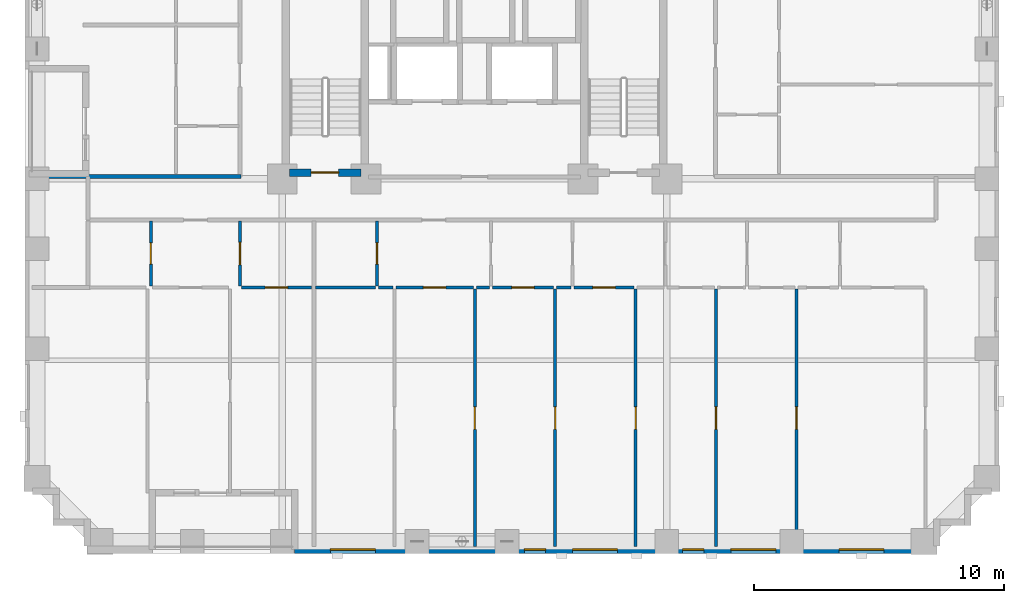
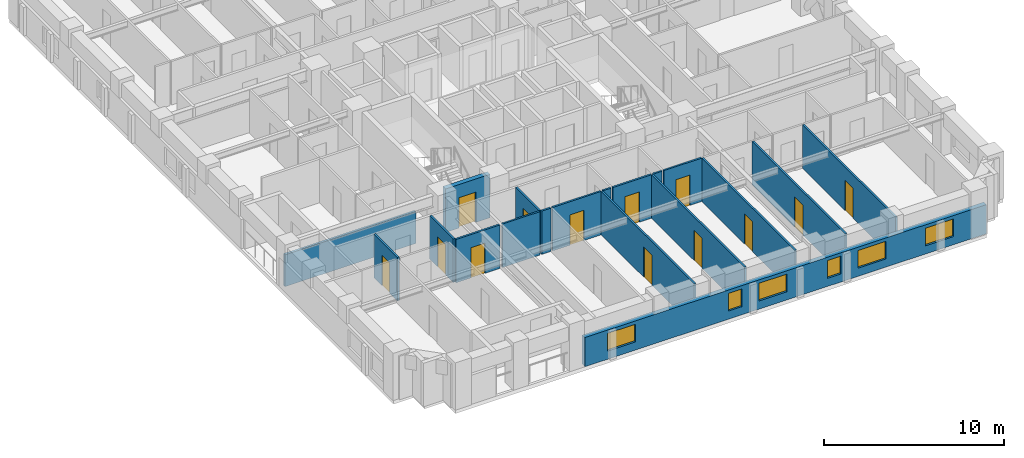
# One storey, part 3 of 14: 19 walls, 13 doors, 6 windows, 19 openings.
"""IFC4 building model written with IfcOpenShell, lengths in metres."""

import ifcopenshell
import ifcopenshell.guid

model = None  # the IFC model being written
_history = None  # IfcOwnerHistory: only IFC2X3 demands one
_inside = {}  # id of a spatial element -> (the spatial element, [elements in it])
_under = {}  # id of a project, library or spatial element -> (it, [spatial elements below it])
_declared = {}  # id of a project -> (the project, [libraries it declares])
_typed = {}  # id of a type object -> (the type object, [elements of that type])
_made_of = {}  # id of a material, layer set ... -> (it, [elements and type objects made of it])


def new_model(schema):
    """Start an empty IFC model of exactly this schema.

    Asked for "IFC4X3", IfcOpenShell would pick the latest addendum, in which some entities
    have other attributes; the version numbers below select the first issue.
    IFC2X3 requires an IfcOwnerHistory on every rooted entity: one is made here for all.
    """
    global model, _history
    if schema == "IFC4X3":
        model = ifcopenshell.file(schema_version=(4, 3, 0, 0))
    else:
        model = ifcopenshell.file(schema=schema)
    _inside.clear()
    _under.clear()
    _declared.clear()
    _typed.clear()
    _made_of.clear()
    _history = None
    if model.schema == "IFC2X3":
        org = make("IfcOrganization", Name="unknown")
        user = make(
            "IfcPersonAndOrganization",
            ThePerson=make("IfcPerson", FamilyName="unknown"),
            TheOrganization=org,
        )
        app = make(
            "IfcApplication",
            ApplicationDeveloper=org,
            Version="unknown",
            ApplicationFullName="unknown",
            ApplicationIdentifier="unknown",
        )
        _history = make(
            "IfcOwnerHistory",
            OwningUser=user,
            OwningApplication=app,
            ChangeAction="ADDED",
            CreationDate=0,
        )
    return model


def make(cls, **values):
    """One entity of the class cls with the attributes given. An attribute that is None is left unset."""
    return model.create_entity(
        cls, **{name: value for name, value in values.items() if value is not None}
    )


def rooted(cls, **values):
    """An entity with a GlobalId (a new one), such as an element, a storey or a relation."""
    return make(cls, GlobalId=ifcopenshell.guid.new(), OwnerHistory=_history, **values)


def si_unit(unit_type, name, prefix=None):
    """IfcSIUnit, for example si_unit("LENGTHUNIT", "METRE", prefix="MILLI")."""
    return make("IfcSIUnit", UnitType=unit_type, Prefix=prefix, Name=name)


def derived_unit(unit_type, elements):
    """IfcDerivedUnit: a product of units, each with its exponent."""
    return make(
        "IfcDerivedUnit",
        Elements=[
            make("IfcDerivedUnitElement", Unit=unit, Exponent=power)
            for unit, power in elements
        ],
        UnitType=unit_type,
    )


def assignment(units):
    """IfcUnitAssignment: the units of a project."""
    return None if units is None else make("IfcUnitAssignment", Units=units)


def point(xyz):
    """IfcCartesianPoint."""
    return None if xyz is None else make("IfcCartesianPoint", Coordinates=xyz)


def direction(xyz):
    """IfcDirection."""
    return None if xyz is None else make("IfcDirection", DirectionRatios=xyz)


def frame(location, z_axis=None, x_axis=None):
    """IfcAxis2Placement3D, a coordinate frame: its origin and axes. An axis left out is left unset."""
    return make(
        "IfcAxis2Placement3D",
        Location=point(location),
        Axis=direction(z_axis),
        RefDirection=direction(x_axis),
    )


def frame_2d(location, x_axis=None):
    """IfcAxis2Placement2D, a coordinate frame in the plane: its origin and x axis."""
    return make(
        "IfcAxis2Placement2D", Location=point(location), RefDirection=direction(x_axis)
    )


def origin():
    """The frame at (0, 0, 0) with its axes left unset."""
    return frame((0.0, 0.0, 0.0))


def place(relative_to, where):
    """IfcLocalPlacement: puts the frame where relative to a parent placement (None: the world)."""
    return make(
        "IfcLocalPlacement", PlacementRelTo=relative_to, RelativePlacement=where
    )


def context(
    kind, dimensions, precision=None, world=None, true_north=None, identifier=None
):
    """IfcGeometricRepresentationContext, for example the 3D "Model" context."""
    return make(
        "IfcGeometricRepresentationContext",
        ContextIdentifier=identifier,
        ContextType=kind,
        CoordinateSpaceDimension=dimensions,
        Precision=precision,
        WorldCoordinateSystem=world,
        TrueNorth=true_north,
    )


def subcontext(parent, identifier, kind, view, scale=None):
    """IfcGeometricRepresentationSubContext, for example "Body" below "Model"."""
    return make(
        "IfcGeometricRepresentationSubContext",
        ContextIdentifier=identifier,
        ContextType=kind,
        ParentContext=parent,
        TargetScale=scale,
        TargetView=view,
    )


def project(units=None, contexts=None):
    """IfcProject with its units and contexts."""
    return rooted(
        "IfcProject",
        Name="project",
        RepresentationContexts=contexts,
        UnitsInContext=assignment(units),
    )


def spatial(cls, under=None, at=None, **own):
    """A site, building, storey or space (cls), placed at a placement, below another one or the project."""
    s = rooted(cls, ObjectPlacement=at, **own)
    if under is not None:
        _under.setdefault(under.id(), (under, []))[1].append(s)
    return s


def profile(cls, at=None, kind="AREA", **sizes):
    """A parametric profile (cls). Its sizes go by their IFC names, for example OverallWidth=200.0."""
    return make(cls, ProfileType=kind, Position=at, **sizes)


def rectangle(**sizes):
    """IfcRectangleProfileDef."""
    return profile("IfcRectangleProfileDef", **sizes)


def extrude(swept, where, along, depth):
    """IfcExtrudedAreaSolid: the profile swept, set in the frame where, extruded along a direction by depth."""
    return make(
        "IfcExtrudedAreaSolid",
        SweptArea=swept,
        Position=where,
        ExtrudedDirection=direction(along),
        Depth=depth,
    )


def shape(context_of_items, identifier, shape_type, items):
    """IfcShapeRepresentation: the items that make up one representation, for example the "Body"."""
    return make(
        "IfcShapeRepresentation",
        ContextOfItems=context_of_items,
        RepresentationIdentifier=identifier,
        RepresentationType=shape_type,
        Items=items,
    )


def material(Name=None, Category=None):
    """IfcMaterial."""
    return make("IfcMaterial", Name=Name, Category=Category)


def layer(
    of_material, thickness, ventilated=None, Name=None, Category=None, Priority=None
):
    """IfcMaterialLayer: one layer of a wall or slab, of a material (None: an air gap)."""
    return make(
        "IfcMaterialLayer",
        Material=of_material,
        LayerThickness=thickness,
        IsVentilated=ventilated,
        Name=Name,
        Category=Category,
        Priority=Priority,
    )


def layer_set(layers, Name=None):
    """IfcMaterialLayerSet."""
    return make("IfcMaterialLayerSet", MaterialLayers=layers, LayerSetName=Name)


def made_of(thing, what):
    """Note that an element or type object is made of a material, layer set ...; save() writes the relation."""
    if what is not None:
        _made_of.setdefault(what.id(), (what, []))[1].append(thing)
    return thing


def type_object(cls, material=None, **own):
    """A type object (cls), such as IfcWallType, which elements share."""
    return made_of(rooted(cls, **own), material)


def element(
    cls,
    number,
    at=None,
    inside=None,
    cuts=None,
    type_object=None,
    material=None,
    context=None,
    identifier="Body",
    shape_type=None,
    held_by="IfcProductDefinitionShape",
    body=None,
    shapes=None,
    **own,
):
    """One element of the class cls, such as IfcWall. Its Tag is "e" and its number.

    at: its placement. inside: the storey or other place that contains it. cuts: it is an
    opening in that element (IfcRelVoidsElement). A single representation is given by context,
    identifier, shape_type and body (its items); several are given by shapes. held_by: the class
    of the entity that holds the representations. save() writes the other relations.
    """
    e = rooted(cls, Tag="e%d" % number, ObjectPlacement=at, **own)
    if body is not None:
        shapes = [shape(context, identifier, shape_type, body)]
    if shapes is not None:
        e.Representation = make(held_by, Representations=shapes)
    if inside is not None:
        _inside.setdefault(inside.id(), (inside, []))[1].append(e)
    if cuts is not None:
        rooted(
            "IfcRelVoidsElement", RelatingBuildingElement=cuts, RelatedOpeningElement=e
        )
    if type_object is not None:
        _typed.setdefault(type_object.id(), (type_object, []))[1].append(e)
    return made_of(e, material)


def fill(opening, filler):
    """IfcRelFillsElement: the door or window that sits in an opening."""
    return rooted(
        "IfcRelFillsElement",
        RelatingOpeningElement=opening,
        RelatedBuildingElement=filler,
    )


def aggregate(whole, parts):
    """IfcRelAggregates: a whole, such as a stair, and the parts it consists of."""
    return rooted("IfcRelAggregates", RelatingObject=whole, RelatedObjects=parts)


def save(model, path):
    """Write the relations noted so far, then the file.

    IfcRelAggregates (storeys below a building ...), IfcRelContainedInSpatialStructure (elements
    in a storey), IfcRelDefinesByType, IfcRelAssociatesMaterial and IfcRelDeclares: one each for
    every whole, place, type object, material and project.
    """
    for whole, parts in _under.values():
        aggregate(whole, parts)
    for where, things in _inside.values():
        rooted(
            "IfcRelContainedInSpatialStructure",
            RelatedElements=things,
            RelatingStructure=where,
        )
    for kind, things in _typed.values():
        rooted("IfcRelDefinesByType", RelatedObjects=things, RelatingType=kind)
    for what, things in _made_of.values():
        rooted("IfcRelAssociatesMaterial", RelatedObjects=things, RelatingMaterial=what)
    for by, libraries in _declared.values():
        rooted("IfcRelDeclares", RelatingContext=by, RelatedDefinitions=libraries)
    model.write(path)


model = new_model("IFC4")

# Units and contexts
model_context = context("Model", 3, precision=1e-05, world=origin(), true_north=direction((0.0, 1.0)))
body_context = subcontext(model_context, "Body", "Model", "MODEL_VIEW")
ifc_project = project(units=[si_unit("LENGTHUNIT", "METRE"), si_unit("AREAUNIT", "SQUARE_METRE"), si_unit("VOLUMEUNIT", "CUBIC_METRE"), si_unit("PLANEANGLEUNIT", "RADIAN"), si_unit("MASSUNIT", "GRAM", prefix="KILO"), derived_unit("THERMALTRANSMITTANCEUNIT", [(si_unit("MASSUNIT", "GRAM", prefix="KILO"), 1), (si_unit("TIMEUNIT", "SECOND"), -3), (si_unit("THERMODYNAMICTEMPERATUREUNIT", "KELVIN"), -1)])], contexts=[model_context])

# Site, building, storey
site_placement = place(None, origin())
site = spatial("IfcSite", under=ifc_project, at=site_placement, CompositionType="ELEMENT")
building_placement = place(site_placement, origin())
building = spatial("IfcBuilding", under=site, at=building_placement, Name="Korrvale Station Residences", CompositionType="ELEMENT")
storey_placement = place(building_placement, frame((0.0, 0.0, 41.800048828125)))
storey = spatial("IfcBuildingStorey", under=building, at=storey_placement, Name="L10", CompositionType="ELEMENT", Elevation=41.800048828125)

# Wall, opening, door
ifc_material_1 = material(Name="Concrete C70/85", Category="concrete")
ifc_layer_1 = layer(ifc_material_1, 0.300048828125, Name="Concrete C70/85")
ifc_layer_set_1 = layer_set([ifc_layer_1], Name="Concrete C70/85")
wall_type_1 = type_object("IfcWallType", Name="WAL-CORE-300-C70", PredefinedType="SHEAR", material=ifc_layer_set_1)
wall_1_placement = place(storey_placement, frame((18.10009765625, 15.25, 0.0), z_axis=(0.0, 0.0, 1.0), x_axis=(1.0, 0.0, 0.0)))
wall_1 = element("IfcWall", 1, at=wall_1_placement, inside=storey, type_object=wall_type_1, Name="L10 ST-1 Core Shear Wall South", PredefinedType="SHEAR", context=body_context, shape_type="SweptSolid", body=[
    extrude(rectangle(XDim=2.849853515625, YDim=0.300048828125, at=frame_2d((1.4248046875, 0.0))), origin(), (0.0, 0.0, 1.0), 2.93994140625),
])
opening_1_placement = place(wall_1_placement, frame((0.860107421875, 0.0, 0.0)))
opening_1 = element("IfcOpeningElement", 2, at=opening_1_placement, cuts=wall_1, Name="Opening SD-1100", PredefinedType="OPENING", context=body_context, shape_type="SweptSolid", body=[
    extrude(rectangle(XDim=1.10009765625, YDim=2.050048828125, at=frame_2d((0.550048828125, 1.02490234375))), frame((0.0, 0.16015625, 0.0), z_axis=(0.0, -1.0, 0.0), x_axis=(1.0, 0.0, 0.0)), (0.0, 0.0, 1.0), 0.320068359375),
])
ifc_material_2 = material(Name="Hollow-metal fire-rated stair door with closer", Category="steel")
door_type_1 = type_object("IfcDoorType", Name="DR-STAIR-1100", OperationType="NOTDEFINED", PredefinedType="DOOR", material=ifc_material_2)
door_1_placement = place(opening_1_placement, origin())
door_1 = element("IfcDoor", 3, at=door_1_placement, inside=storey, type_object=door_type_1, Name="L10 ST-1 Exit Stair Door", OperationType="SINGLE_SWING_LEFT", OverallHeight=2.050048828125, OverallWidth=1.10009765625, PredefinedType="DOOR", context=body_context, shape_type="SweptSolid", body=[
    extrude(rectangle(XDim=1.10009765625, YDim=2.050048828125, at=frame_2d((0.550048828125, 1.02490234375))), frame((0.0, 0.02490234375, 0.0), z_axis=(0.0, -1.0, 0.0), x_axis=(1.0, 0.0, 0.0)), (0.0, 0.0, 1.0), 0.050048828125),
])
fill(opening_1, door_1)

# Wall, openings, windows
ifc_material_3 = material(Name="Precast concrete C45/55", Category="concrete")
ifc_layer_2 = layer(ifc_material_3, 0.300048828125, Name="Precast concrete C45/55")
ifc_layer_set_2 = layer_set([ifc_layer_2], Name="Precast concrete C45/55")
wall_type_2 = type_object("IfcWallType", Name="WAL-EXT-PC300", PredefinedType="SOLIDWALL", material=ifc_layer_set_2)
wall_2_placement = place(storey_placement, frame((44.0, 0.14990234375, 0.0), z_axis=(0.0, 0.0, 1.0), x_axis=(-1.0, 0.0, 0.0)))
wall_2 = element("IfcWall", 4, at=wall_2_placement, inside=storey, type_object=wall_type_2, Name="L10 South Exterior Precast Wall 1", PredefinedType="SOLIDWALL", context=body_context, shape_type="SweptSolid", body=[
    extrude(rectangle(XDim=25.699951171875, YDim=0.300048828125, at=frame_2d((12.85009765625, 0.0))), origin(), (0.0, 0.0, 1.0), 1.974853515625),
])
opening_2_placement = place(wall_2_placement, frame((22.470947265625, 0.0, 0.550048828125)))
opening_2 = element("IfcOpeningElement", 5, at=opening_2_placement, cuts=wall_2, Name="Opening W-09", PredefinedType="OPENING", context=body_context, shape_type="SweptSolid", body=[
    extrude(rectangle(XDim=1.800048828125, YDim=1.199951171875, at=frame_2d((0.89990234375, 0.60009765625))), frame((0.0, 0.16015625, 0.0), z_axis=(0.0, -1.0, 0.0), x_axis=(1.0, 0.0, 0.0)), (0.0, 0.0, 1.0), 0.320068359375),
])
opening_3_placement = place(wall_2_placement, frame((15.64990234375, 0.0, 0.550048828125)))
opening_3 = element("IfcOpeningElement", 6, at=opening_3_placement, cuts=wall_2, Name="Opening W-11", PredefinedType="OPENING", context=body_context, shape_type="SweptSolid", body=[
    extrude(rectangle(XDim=0.85009765625, YDim=1.199951171875, at=frame_2d((0.425048828125, 0.60009765625))), frame((0.0, 0.16015625, 0.0), z_axis=(0.0, -1.0, 0.0), x_axis=(1.0, 0.0, 0.0)), (0.0, 0.0, 1.0), 0.320068359375),
])
opening_4_placement = place(wall_2_placement, frame((12.777099609375, 0.0, 0.550048828125)))
opening_4 = element("IfcOpeningElement", 7, at=opening_4_placement, cuts=wall_2, Name="Opening W-09", PredefinedType="OPENING", context=body_context, shape_type="SweptSolid", body=[
    extrude(rectangle(XDim=1.800048828125, YDim=1.199951171875, at=frame_2d((0.89990234375, 0.60009765625))), frame((0.0, 0.16015625, 0.0), z_axis=(0.0, -1.0, 0.0), x_axis=(1.0, 0.0, 0.0)), (0.0, 0.0, 1.0), 0.320068359375),
])
opening_5_placement = place(wall_2_placement, frame((9.31494140625, 0.0, 0.550048828125)))
opening_5 = element("IfcOpeningElement", 8, at=opening_5_placement, cuts=wall_2, Name="Opening W-11", PredefinedType="OPENING", context=body_context, shape_type="SweptSolid", body=[
    extrude(rectangle(XDim=0.85009765625, YDim=1.199951171875, at=frame_2d((0.425048828125, 0.60009765625))), frame((0.0, 0.16015625, 0.0), z_axis=(0.0, -1.0, 0.0), x_axis=(1.0, 0.0, 0.0)), (0.0, 0.0, 1.0), 0.320068359375),
])
opening_6_placement = place(wall_2_placement, frame((6.43505859375, 0.0, 0.550048828125)))
opening_6 = element("IfcOpeningElement", 9, at=opening_6_placement, cuts=wall_2, Name="Opening W-09", PredefinedType="OPENING", context=body_context, shape_type="SweptSolid", body=[
    extrude(rectangle(XDim=1.800048828125, YDim=1.199951171875, at=frame_2d((0.89990234375, 0.60009765625))), frame((0.0, 0.16015625, 0.0), z_axis=(0.0, -1.0, 0.0), x_axis=(1.0, 0.0, 0.0)), (0.0, 0.0, 1.0), 0.320068359375),
])
opening_7_placement = place(wall_2_placement, frame((2.10595703125, 0.0, 0.550048828125)))
opening_7 = element("IfcOpeningElement", 10, at=opening_7_placement, cuts=wall_2, Name="Opening W-09", PredefinedType="OPENING", context=body_context, shape_type="SweptSolid", body=[
    extrude(rectangle(XDim=1.800048828125, YDim=1.199951171875, at=frame_2d((0.89990234375, 0.60009765625))), frame((0.0, 0.16015625, 0.0), z_axis=(0.0, -1.0, 0.0), x_axis=(1.0, 0.0, 0.0)), (0.0, 0.0, 1.0), 0.320068359375),
])
ifc_material_4 = material(Name="Thermally broken aluminium frame with triple low-e glazing", Category="aluminium")
window_type_1 = type_object("IfcWindowType", Name="WIN-W09", PartitioningType="DOUBLE_PANEL_VERTICAL", PredefinedType="WINDOW", material=ifc_material_4)
window_1_placement = place(opening_2_placement, origin())
window_1 = element("IfcWindow", 11, at=window_1_placement, inside=storey, type_object=window_type_1, Name="L10 Punched Window 05", OverallHeight=1.199951171875, OverallWidth=1.800048828125, PartitioningType="DOUBLE_PANEL_VERTICAL", PredefinedType="WINDOW", context=body_context, shape_type="SweptSolid", body=[
    extrude(rectangle(XDim=1.800048828125, YDim=1.199951171875, at=frame_2d((0.89990234375, 0.60009765625))), frame((0.0, 0.030029296875, 0.0), z_axis=(0.0, -1.0, 0.0), x_axis=(1.0, 0.0, 0.0)), (0.0, 0.0, 1.0), 0.06005859375),
])
fill(opening_2, window_1)
window_2_placement = place(opening_4_placement, origin())
window_2 = element("IfcWindow", 12, at=window_2_placement, inside=storey, type_object=window_type_1, Name="L10 Punched Window 07", OverallHeight=1.199951171875, OverallWidth=1.800048828125, PartitioningType="DOUBLE_PANEL_VERTICAL", PredefinedType="WINDOW", context=body_context, shape_type="SweptSolid", body=[
    extrude(rectangle(XDim=1.800048828125, YDim=1.199951171875, at=frame_2d((0.89990234375, 0.60009765625))), frame((0.0, 0.030029296875, 0.0), z_axis=(0.0, -1.0, 0.0), x_axis=(1.0, 0.0, 0.0)), (0.0, 0.0, 1.0), 0.06005859375),
])
fill(opening_4, window_2)
window_3_placement = place(opening_6_placement, origin())
window_3 = element("IfcWindow", 13, at=window_3_placement, inside=storey, type_object=window_type_1, Name="L10 Punched Window 09", OverallHeight=1.199951171875, OverallWidth=1.800048828125, PartitioningType="DOUBLE_PANEL_VERTICAL", PredefinedType="WINDOW", context=body_context, shape_type="SweptSolid", body=[
    extrude(rectangle(XDim=1.800048828125, YDim=1.199951171875, at=frame_2d((0.89990234375, 0.60009765625))), frame((0.0, 0.030029296875, 0.0), z_axis=(0.0, -1.0, 0.0), x_axis=(1.0, 0.0, 0.0)), (0.0, 0.0, 1.0), 0.06005859375),
])
fill(opening_6, window_3)
window_4_placement = place(opening_7_placement, origin())
window_4 = element("IfcWindow", 14, at=window_4_placement, inside=storey, type_object=window_type_1, Name="L10 Punched Window 10", OverallHeight=1.199951171875, OverallWidth=1.800048828125, PartitioningType="DOUBLE_PANEL_VERTICAL", PredefinedType="WINDOW", context=body_context, shape_type="SweptSolid", body=[
    extrude(rectangle(XDim=1.800048828125, YDim=1.199951171875, at=frame_2d((0.89990234375, 0.60009765625))), frame((0.0, 0.030029296875, 0.0), z_axis=(0.0, -1.0, 0.0), x_axis=(1.0, 0.0, 0.0)), (0.0, 0.0, 1.0), 0.06005859375),
])
fill(opening_7, window_4)
window_type_2 = type_object("IfcWindowType", Name="WIN-W11", PartitioningType="SINGLE_PANEL", PredefinedType="WINDOW", material=ifc_material_4)
window_5_placement = place(opening_3_placement, origin())
window_5 = element("IfcWindow", 15, at=window_5_placement, inside=storey, type_object=window_type_2, Name="L10 Punched Window 06", OverallHeight=1.199951171875, OverallWidth=0.85009765625, PartitioningType="SINGLE_PANEL", PredefinedType="WINDOW", context=body_context, shape_type="SweptSolid", body=[
    extrude(rectangle(XDim=0.85009765625, YDim=1.199951171875, at=frame_2d((0.425048828125, 0.60009765625))), frame((0.0, 0.030029296875, 0.0), z_axis=(0.0, -1.0, 0.0), x_axis=(1.0, 0.0, 0.0)), (0.0, 0.0, 1.0), 0.06005859375),
])
fill(opening_3, window_5)
window_6_placement = place(opening_5_placement, origin())
window_6 = element("IfcWindow", 16, at=window_6_placement, inside=storey, type_object=window_type_2, Name="L10 Punched Window 08", OverallHeight=1.199951171875, OverallWidth=0.85009765625, PartitioningType="SINGLE_PANEL", PredefinedType="WINDOW", context=body_context, shape_type="SweptSolid", body=[
    extrude(rectangle(XDim=0.85009765625, YDim=1.199951171875, at=frame_2d((0.425048828125, 0.60009765625))), frame((0.0, 0.030029296875, 0.0), z_axis=(0.0, -1.0, 0.0), x_axis=(1.0, 0.0, 0.0)), (0.0, 0.0, 1.0), 0.06005859375),
])
fill(opening_5, window_6)

# Wall, opening, door
ifc_material_5 = material(Name="Acoustic steel-stud gypsum board partition", Category="steel")
ifc_layer_3 = layer(ifc_material_5, 0.1201171875, Name="Acoustic steel-stud gypsum board partition")
ifc_layer_set_3 = layer_set([ifc_layer_3], Name="Acoustic steel-stud gypsum board partition")
wall_type_3 = type_object("IfcWallType", Name="WAL-PART-125", PredefinedType="PARTITIONING", material=ifc_layer_set_3)
wall_3_placement = place(storey_placement, frame((12.5400390625, 10.7099609375, 0.0), z_axis=(0.0, 0.0, 1.0), x_axis=(0.0, 1.0, 0.0)))
wall_3 = element("IfcWall", 17, at=wall_3_placement, inside=storey, type_object=wall_type_3, Name="L10 Suite Partition U01-V01", PredefinedType="PARTITIONING", context=body_context, shape_type="SweptSolid", body=[
    extrude(rectangle(XDim=2.60009765625, YDim=0.1201171875, at=frame_2d((1.300048828125, 0.0))), origin(), (0.0, 0.0, 1.0), 2.93994140625),
])
opening_8_placement = place(wall_3_placement, frame((0.8701171875, 0.0, 0.0)))
opening_8 = element("IfcOpeningElement", 18, at=opening_8_placement, cuts=wall_3, Name="Opening DB-860", PredefinedType="OPENING", context=body_context, shape_type="SweptSolid", body=[
    extrude(rectangle(XDim=0.860107421875, YDim=2.050048828125, at=frame_2d((0.43017578125, 1.02490234375))), frame((0.0, 0.070068359375, 0.0), z_axis=(0.0, -1.0, 0.0), x_axis=(1.0, 0.0, 0.0)), (0.0, 0.0, 1.0), 0.14013671875),
])
ifc_material_6 = material(Name="Moisture-resistant solid-core bathroom door", Category="timber")
door_type_2 = type_object("IfcDoorType", Name="DR-BATH-860", OperationType="NOTDEFINED", PredefinedType="DOOR", material=ifc_material_6)
door_2_placement = place(opening_8_placement, origin())
door_2 = element("IfcDoor", 19, at=door_2_placement, inside=storey, type_object=door_type_2, Name="L10 Apartment 2BR L10-U01 Bathroom Door", OperationType="SINGLE_SWING_LEFT", OverallHeight=2.050048828125, OverallWidth=0.860107421875, PredefinedType="DOOR", context=body_context, shape_type="SweptSolid", body=[
    extrude(rectangle(XDim=0.860107421875, YDim=2.050048828125, at=frame_2d((0.43017578125, 1.02490234375))), frame((0.0, 0.02490234375, 0.0), z_axis=(0.0, -1.0, 0.0), x_axis=(1.0, 0.0, 0.0)), (0.0, 0.0, 1.0), 0.050048828125),
])
fill(opening_8, door_2)

wall_4_placement = place(storey_placement, frame((16.110107421875, 10.7099609375, 0.0), z_axis=(0.0, 0.0, 1.0), x_axis=(0.0, 1.0, 0.0)))
wall_4 = element("IfcWall", 20, at=wall_4_placement, inside=storey, type_object=wall_type_3, Name="L10 Suite Partition U01-V12", PredefinedType="PARTITIONING", context=body_context, shape_type="SweptSolid", body=[
    extrude(rectangle(XDim=2.60009765625, YDim=0.1201171875, at=frame_2d((1.300048828125, 0.0))), origin(), (0.0, 0.0, 1.0), 2.93994140625),
])
opening_9_placement = place(wall_4_placement, frame((0.85009765625, 0.0, 0.0)))
opening_9 = element("IfcOpeningElement", 21, at=opening_9_placement, cuts=wall_4, Name="Opening DI-900", PredefinedType="OPENING", context=body_context, shape_type="SweptSolid", body=[
    extrude(rectangle(XDim=0.89990234375, YDim=2.050048828125, at=frame_2d((0.449951171875, 1.02490234375))), frame((0.0, 0.070068359375, 0.0), z_axis=(0.0, -1.0, 0.0), x_axis=(1.0, 0.0, 0.0)), (0.0, 0.0, 1.0), 0.14013671875),
])
ifc_material_7 = material(Name="Painted solid-core timber interior room door", Category="wood")
door_type_3 = type_object("IfcDoorType", Name="DR-INT-900", OperationType="NOTDEFINED", PredefinedType="DOOR", material=ifc_material_7)
door_3_placement = place(opening_9_placement, origin())
door_3 = element("IfcDoor", 22, at=door_3_placement, inside=storey, type_object=door_type_3, Name="L10 Apartment 2BR L10-U01 Kitchen Door", OperationType="SINGLE_SWING_RIGHT", OverallHeight=2.050048828125, OverallWidth=0.89990234375, PredefinedType="DOOR", context=body_context, shape_type="SweptSolid", body=[
    extrude(rectangle(XDim=0.89990234375, YDim=2.050048828125, at=frame_2d((0.449951171875, 1.02490234375))), frame((0.0, 0.02490234375, 0.0), z_axis=(0.0, -1.0, 0.0), x_axis=(1.0, 0.0, 0.0)), (0.0, 0.0, 1.0), 0.050048828125),
])
fill(opening_9, door_3)

wall_5_placement = place(storey_placement, frame((16.169921875, 10.64990234375, 0.0), z_axis=(0.0, 0.0, 1.0), x_axis=(1.0, 0.0, 0.0)))
wall_5 = element("IfcWall", 23, at=wall_5_placement, inside=storey, type_object=wall_type_3, Name="L10 Suite Partition U01-H25", PredefinedType="PARTITIONING", context=body_context, shape_type="SweptSolid", body=[
    extrude(rectangle(XDim=2.800048828125, YDim=0.1201171875, at=frame_2d((1.39990234375, 0.0))), origin(), (0.0, 0.0, 1.0), 2.93994140625),
])
opening_10_placement = place(wall_5_placement, frame((0.949951171875, 0.0, 0.0)))
opening_10 = element("IfcOpeningElement", 24, at=opening_10_placement, cuts=wall_5, Name="Opening DI-900", PredefinedType="OPENING", context=body_context, shape_type="SweptSolid", body=[
    extrude(rectangle(XDim=0.89990234375, YDim=2.050048828125, at=frame_2d((0.449951171875, 1.02490234375))), frame((0.0, 0.070068359375, 0.0), z_axis=(0.0, -1.0, 0.0), x_axis=(1.0, 0.0, 0.0)), (0.0, 0.0, 1.0), 0.14013671875),
])
door_4_placement = place(opening_10_placement, origin())
door_4 = element("IfcDoor", 25, at=door_4_placement, inside=storey, type_object=door_type_3, Name="L10 Apartment 2BR L10-U01 Utility and Laundry Room Door", OperationType="SINGLE_SWING_RIGHT", OverallHeight=2.050048828125, OverallWidth=0.89990234375, PredefinedType="DOOR", context=body_context, shape_type="SweptSolid", body=[
    extrude(rectangle(XDim=0.89990234375, YDim=2.050048828125, at=frame_2d((0.449951171875, 1.02490234375))), frame((0.0, 0.02490234375, 0.0), z_axis=(0.0, -1.0, 0.0), x_axis=(1.0, 0.0, 0.0)), (0.0, 0.0, 1.0), 0.050048828125),
])
fill(opening_10, door_4)

wall_6_placement = place(storey_placement, frame((21.590087890625, 10.7099609375, 0.0), z_axis=(0.0, 0.0, 1.0), x_axis=(0.0, 1.0, 0.0)))
wall_6 = element("IfcWall", 26, at=wall_6_placement, inside=storey, type_object=wall_type_3, Name="L10 Suite Partition U02-V01", PredefinedType="PARTITIONING", context=body_context, shape_type="SweptSolid", body=[
    extrude(rectangle(XDim=2.60009765625, YDim=0.1201171875, at=frame_2d((1.300048828125, 0.0))), origin(), (0.0, 0.0, 1.0), 2.93994140625),
])
opening_11_placement = place(wall_6_placement, frame((0.8701171875, 0.0, 0.0)))
opening_11 = element("IfcOpeningElement", 27, at=opening_11_placement, cuts=wall_6, Name="Opening DB-860", PredefinedType="OPENING", context=body_context, shape_type="SweptSolid", body=[
    extrude(rectangle(XDim=0.860107421875, YDim=2.050048828125, at=frame_2d((0.43017578125, 1.02490234375))), frame((0.0, 0.070068359375, 0.0), z_axis=(0.0, -1.0, 0.0), x_axis=(1.0, 0.0, 0.0)), (0.0, 0.0, 1.0), 0.14013671875),
])
door_5_placement = place(opening_11_placement, origin())
door_5 = element("IfcDoor", 28, at=door_5_placement, inside=storey, type_object=door_type_2, Name="L10 Studio Apartment L10-U02 Bathroom Door", OperationType="SINGLE_SWING_LEFT", OverallHeight=2.050048828125, OverallWidth=0.860107421875, PredefinedType="DOOR", context=body_context, shape_type="SweptSolid", body=[
    extrude(rectangle(XDim=0.860107421875, YDim=2.050048828125, at=frame_2d((0.43017578125, 1.02490234375))), frame((0.0, 0.02490234375, 0.0), z_axis=(0.0, -1.0, 0.0), x_axis=(1.0, 0.0, 0.0)), (0.0, 0.0, 1.0), 0.050048828125),
])
fill(opening_11, door_5)

# Walls
wall_7_placement = place(storey_placement, frame((19.1298828125, 10.64990234375, 0.0), z_axis=(0.0, 0.0, 1.0), x_axis=(1.0, 0.0, 0.0)))
element("IfcWall", 29, at=wall_7_placement, inside=storey, type_object=wall_type_3, Name="L10 Suite Partition U02-H07", PredefinedType="PARTITIONING", context=body_context, shape_type="SweptSolid", body=[
    extrude(rectangle(XDim=2.400146484375, YDim=0.1201171875, at=frame_2d((1.2001953125, 0.0))), origin(), (0.0, 0.0, 1.0), 2.93994140625),
])
wall_8_placement = place(storey_placement, frame((21.64990234375, 10.64990234375, 0.0), z_axis=(0.0, 0.0, 1.0), x_axis=(1.0, 0.0, 0.0)))
element("IfcWall", 30, at=wall_8_placement, inside=storey, type_object=wall_type_3, Name="L10 Suite Partition U02-H17", PredefinedType="PARTITIONING", context=body_context, shape_type="SweptSolid", body=[
    extrude(rectangle(XDim=0.580078125, YDim=0.1201171875, at=frame_2d((0.2900390625, 0.0))), origin(), (0.0, 0.0, 1.0), 2.93994140625),
])

# Wall, opening, door
wall_9_placement = place(storey_placement, frame((22.35009765625, 10.64990234375, 0.0), z_axis=(0.0, 0.0, 1.0), x_axis=(1.0, 0.0, 0.0)))
wall_9 = element("IfcWall", 31, at=wall_9_placement, inside=storey, type_object=wall_type_3, Name="L10 Suite Partition U02-H18", PredefinedType="PARTITIONING", context=body_context, shape_type="SweptSolid", body=[
    extrude(rectangle(XDim=3.099853515625, YDim=0.1201171875, at=frame_2d((1.5498046875, 0.0))), origin(), (0.0, 0.0, 1.0), 2.93994140625),
])
opening_12_placement = place(wall_9_placement, frame((1.10009765625, 0.0, 0.0)))
opening_12 = element("IfcOpeningElement", 32, at=opening_12_placement, cuts=wall_9, Name="Opening DI-900", PredefinedType="OPENING", context=body_context, shape_type="SweptSolid", body=[
    extrude(rectangle(XDim=0.89990234375, YDim=2.050048828125, at=frame_2d((0.449951171875, 1.02490234375))), frame((0.0, 0.070068359375, 0.0), z_axis=(0.0, -1.0, 0.0), x_axis=(1.0, 0.0, 0.0)), (0.0, 0.0, 1.0), 0.14013671875),
])
door_6_placement = place(opening_12_placement, origin())
door_6 = element("IfcDoor", 33, at=door_6_placement, inside=storey, type_object=door_type_3, Name="L10 Studio Apartment L10-U02 Kitchen Door", OperationType="SINGLE_SWING_LEFT", OverallHeight=2.050048828125, OverallWidth=0.89990234375, PredefinedType="DOOR", context=body_context, shape_type="SweptSolid", body=[
    extrude(rectangle(XDim=0.89990234375, YDim=2.050048828125, at=frame_2d((0.449951171875, 1.02490234375))), frame((0.0, 0.02490234375, 0.0), z_axis=(0.0, -1.0, 0.0), x_axis=(1.0, 0.0, 0.0)), (0.0, 0.0, 1.0), 0.050048828125),
])
fill(opening_12, door_6)

# Wall
wall_10_placement = place(storey_placement, frame((25.570068359375, 10.64990234375, 0.0), z_axis=(0.0, 0.0, 1.0), x_axis=(1.0, 0.0, 0.0)))
element("IfcWall", 34, at=wall_10_placement, inside=storey, type_object=wall_type_3, Name="L10 Suite Partition U02-H19", PredefinedType="PARTITIONING", context=body_context, shape_type="SweptSolid", body=[
    extrude(rectangle(XDim=0.52001953125, YDim=0.1201171875, at=frame_2d((0.260009765625, 0.0))), origin(), (0.0, 0.0, 1.0), 2.93994140625),
])

# Wall, opening, door
wall_11_placement = place(storey_placement, frame((26.2099609375, 10.64990234375, 0.0), z_axis=(0.0, 0.0, 1.0), x_axis=(1.0, 0.0, 0.0)))
wall_11 = element("IfcWall", 35, at=wall_11_placement, inside=storey, type_object=wall_type_3, Name="L10 Suite Partition U02-H29", PredefinedType="PARTITIONING", context=body_context, shape_type="SweptSolid", body=[
    extrude(rectangle(XDim=2.4599609375, YDim=0.1201171875, at=frame_2d((1.22998046875, 0.0))), origin(), (0.0, 0.0, 1.0), 2.93994140625),
])
opening_13_placement = place(wall_11_placement, frame((0.780029296875, 0.0, 0.0)))
opening_13 = element("IfcOpeningElement", 36, at=opening_13_placement, cuts=wall_11, Name="Opening DI-900", PredefinedType="OPENING", context=body_context, shape_type="SweptSolid", body=[
    extrude(rectangle(XDim=0.89990234375, YDim=2.050048828125, at=frame_2d((0.449951171875, 1.02490234375))), frame((0.0, 0.070068359375, 0.0), z_axis=(0.0, -1.0, 0.0), x_axis=(1.0, 0.0, 0.0)), (0.0, 0.0, 1.0), 0.14013671875),
])
door_7_placement = place(opening_13_placement, origin())
door_7 = element("IfcDoor", 37, at=door_7_placement, inside=storey, type_object=door_type_3, Name="L10 Studio Apartment L10-U02 Utility and Laundry Room Door", OperationType="SINGLE_SWING_LEFT", OverallHeight=2.050048828125, OverallWidth=0.89990234375, PredefinedType="DOOR", context=body_context, shape_type="SweptSolid", body=[
    extrude(rectangle(XDim=0.89990234375, YDim=2.050048828125, at=frame_2d((0.449951171875, 1.02490234375))), frame((0.0, 0.02490234375, 0.0), z_axis=(0.0, -1.0, 0.0), x_axis=(1.0, 0.0, 0.0)), (0.0, 0.0, 1.0), 0.050048828125),
])
fill(opening_13, door_7)

# Wall
wall_12_placement = place(storey_placement, frame((28.7900390625, 10.64990234375, 0.0), z_axis=(0.0, 0.0, 1.0), x_axis=(1.0, 0.0, 0.0)))
element("IfcWall", 38, at=wall_12_placement, inside=storey, type_object=wall_type_3, Name="L10 Suite Partition U02-H210", PredefinedType="PARTITIONING", context=body_context, shape_type="SweptSolid", body=[
    extrude(rectangle(XDim=0.570068359375, YDim=0.1201171875, at=frame_2d((0.28515625, 0.0))), origin(), (0.0, 0.0, 1.0), 2.93994140625),
])

# Wall, opening, door
wall_13_placement = place(storey_placement, frame((29.47998046875, 10.64990234375, 0.0), z_axis=(0.0, 0.0, 1.0), x_axis=(1.0, 0.0, 0.0)))
wall_13 = element("IfcWall", 39, at=wall_13_placement, inside=storey, type_object=wall_type_3, Name="L10 Suite Partition U02-H310", PredefinedType="PARTITIONING", context=body_context, shape_type="SweptSolid", body=[
    extrude(rectangle(XDim=2.409912109375, YDim=0.1201171875, at=frame_2d((1.205078125, 0.0))), origin(), (0.0, 0.0, 1.0), 2.93994140625),
])
opening_14_placement = place(wall_13_placement, frame((0.7548828125, 0.0, 0.0)))
opening_14 = element("IfcOpeningElement", 40, at=opening_14_placement, cuts=wall_13, Name="Opening DI-900", PredefinedType="OPENING", context=body_context, shape_type="SweptSolid", body=[
    extrude(rectangle(XDim=0.89990234375, YDim=2.050048828125, at=frame_2d((0.449951171875, 1.02490234375))), frame((0.0, 0.070068359375, 0.0), z_axis=(0.0, -1.0, 0.0), x_axis=(1.0, 0.0, 0.0)), (0.0, 0.0, 1.0), 0.14013671875),
])
door_8_placement = place(opening_14_placement, origin())
door_8 = element("IfcDoor", 41, at=door_8_placement, inside=storey, type_object=door_type_3, Name="L10 Studio Apartment L10-U02 Storage Closet 2 Door", OperationType="SINGLE_SWING_LEFT", OverallHeight=2.050048828125, OverallWidth=0.89990234375, PredefinedType="DOOR", context=body_context, shape_type="SweptSolid", body=[
    extrude(rectangle(XDim=0.89990234375, YDim=2.050048828125, at=frame_2d((0.449951171875, 1.02490234375))), frame((0.0, 0.02490234375, 0.0), z_axis=(0.0, -1.0, 0.0), x_axis=(1.0, 0.0, 0.0)), (0.0, 0.0, 1.0), 0.050048828125),
])
fill(opening_14, door_8)

wall_14_placement = place(storey_placement, frame((25.510009765625, 0.280029296875, 0.0), z_axis=(0.0, 0.0, 1.0), x_axis=(0.0, 1.0, 0.0)))
wall_14 = element("IfcWall", 42, at=wall_14_placement, inside=storey, type_object=wall_type_3, Name="L10 Suite Partition U02-V89", PredefinedType="PARTITIONING", context=body_context, shape_type="SweptSolid", body=[
    extrude(rectangle(XDim=10.31005859375, YDim=0.1201171875, at=frame_2d((5.155029296875, 0.0))), origin(), (0.0, 0.0, 1.0), 2.93994140625),
])
opening_15_placement = place(wall_14_placement, frame((4.68994140625, 0.0, 0.0)))
opening_15 = element("IfcOpeningElement", 43, at=opening_15_placement, cuts=wall_14, Name="Opening DI-900", PredefinedType="OPENING", context=body_context, shape_type="SweptSolid", body=[
    extrude(rectangle(XDim=0.89990234375, YDim=2.050048828125, at=frame_2d((0.449951171875, 1.02490234375))), frame((0.0, 0.070068359375, 0.0), z_axis=(0.0, -1.0, 0.0), x_axis=(1.0, 0.0, 0.0)), (0.0, 0.0, 1.0), 0.14013671875),
])
door_9_placement = place(opening_15_placement, origin())
door_9 = element("IfcDoor", 44, at=door_9_placement, inside=storey, type_object=door_type_3, Name="L10 Studio Apartment L10-U02 Walk-In Wardrobe Door", OperationType="SINGLE_SWING_RIGHT", OverallHeight=2.050048828125, OverallWidth=0.89990234375, PredefinedType="DOOR", context=body_context, shape_type="SweptSolid", body=[
    extrude(rectangle(XDim=0.89990234375, YDim=2.050048828125, at=frame_2d((0.449951171875, 1.02490234375))), frame((0.0, 0.02490234375, 0.0), z_axis=(0.0, -1.0, 0.0), x_axis=(1.0, 0.0, 0.0)), (0.0, 0.0, 1.0), 0.050048828125),
])
fill(opening_15, door_9)

wall_15_placement = place(storey_placement, frame((28.72998046875, 0.280029296875, 0.0), z_axis=(0.0, 0.0, 1.0), x_axis=(0.0, 1.0, 0.0)))
wall_15 = element("IfcWall", 45, at=wall_15_placement, inside=storey, type_object=wall_type_3, Name="L10 Suite Partition U02-V910", PredefinedType="PARTITIONING", context=body_context, shape_type="SweptSolid", body=[
    extrude(rectangle(XDim=10.31005859375, YDim=0.1201171875, at=frame_2d((5.155029296875, 0.0))), origin(), (0.0, 0.0, 1.0), 2.93994140625),
])
opening_16_placement = place(wall_15_placement, frame((4.68994140625, 0.0, 0.0)))
opening_16 = element("IfcOpeningElement", 46, at=opening_16_placement, cuts=wall_15, Name="Opening DI-900", PredefinedType="OPENING", context=body_context, shape_type="SweptSolid", body=[
    extrude(rectangle(XDim=0.89990234375, YDim=2.050048828125, at=frame_2d((0.449951171875, 1.02490234375))), frame((0.0, 0.070068359375, 0.0), z_axis=(0.0, -1.0, 0.0), x_axis=(1.0, 0.0, 0.0)), (0.0, 0.0, 1.0), 0.14013671875),
])
door_10_placement = place(opening_16_placement, origin())
door_10 = element("IfcDoor", 47, at=door_10_placement, inside=storey, type_object=door_type_3, Name="L10 Studio Apartment L10-U02 Formal Dining Room Door", OperationType="SINGLE_SWING_LEFT", OverallHeight=2.050048828125, OverallWidth=0.89990234375, PredefinedType="DOOR", context=body_context, shape_type="SweptSolid", body=[
    extrude(rectangle(XDim=0.89990234375, YDim=2.050048828125, at=frame_2d((0.449951171875, 1.02490234375))), frame((0.0, 0.02490234375, 0.0), z_axis=(0.0, -1.0, 0.0), x_axis=(1.0, 0.0, 0.0)), (0.0, 0.0, 1.0), 0.050048828125),
])
fill(opening_16, door_10)

wall_16_placement = place(storey_placement, frame((31.949951171875, 0.280029296875, 0.0), z_axis=(0.0, 0.0, 1.0), x_axis=(0.0, 1.0, 0.0)))
wall_16 = element("IfcWall", 48, at=wall_16_placement, inside=storey, type_object=wall_type_3, Name="L10 Suite Partition U02-V1011", PredefinedType="PARTITIONING", context=body_context, shape_type="SweptSolid", body=[
    extrude(rectangle(XDim=10.31005859375, YDim=0.1201171875, at=frame_2d((5.155029296875, 0.0))), origin(), (0.0, 0.0, 1.0), 2.93994140625),
])
opening_17_placement = place(wall_16_placement, frame((4.68994140625, 0.0, 0.0)))
opening_17 = element("IfcOpeningElement", 49, at=opening_17_placement, cuts=wall_16, Name="Opening DI-900", PredefinedType="OPENING", context=body_context, shape_type="SweptSolid", body=[
    extrude(rectangle(XDim=0.89990234375, YDim=2.050048828125, at=frame_2d((0.449951171875, 1.02490234375))), frame((0.0, 0.070068359375, 0.0), z_axis=(0.0, -1.0, 0.0), x_axis=(1.0, 0.0, 0.0)), (0.0, 0.0, 1.0), 0.14013671875),
])
door_11_placement = place(opening_17_placement, origin())
door_11 = element("IfcDoor", 50, at=door_11_placement, inside=storey, type_object=door_type_3, Name="L10 Studio Apartment L10-U02 Formal Dining Room Door", OperationType="SINGLE_SWING_RIGHT", OverallHeight=2.050048828125, OverallWidth=0.89990234375, PredefinedType="DOOR", context=body_context, shape_type="SweptSolid", body=[
    extrude(rectangle(XDim=0.89990234375, YDim=2.050048828125, at=frame_2d((0.449951171875, 1.02490234375))), frame((0.0, 0.02490234375, 0.0), z_axis=(0.0, -1.0, 0.0), x_axis=(1.0, 0.0, 0.0)), (0.0, 0.0, 1.0), 0.050048828125),
])
fill(opening_17, door_11)

wall_17_placement = place(storey_placement, frame((35.169921875, 0.280029296875, 0.0), z_axis=(0.0, 0.0, 1.0), x_axis=(0.0, 1.0, 0.0)))
wall_17 = element("IfcWall", 51, at=wall_17_placement, inside=storey, type_object=wall_type_3, Name="L10 Suite Partition U02-V1112", PredefinedType="PARTITIONING", context=body_context, shape_type="SweptSolid", body=[
    extrude(rectangle(XDim=10.31005859375, YDim=0.1201171875, at=frame_2d((5.155029296875, 0.0))), origin(), (0.0, 0.0, 1.0), 2.93994140625),
])
opening_18_placement = place(wall_17_placement, frame((4.68994140625, 0.0, 0.0)))
opening_18 = element("IfcOpeningElement", 52, at=opening_18_placement, cuts=wall_17, Name="Opening DI-900", PredefinedType="OPENING", context=body_context, shape_type="SweptSolid", body=[
    extrude(rectangle(XDim=0.89990234375, YDim=2.050048828125, at=frame_2d((0.449951171875, 1.02490234375))), frame((0.0, 0.070068359375, 0.0), z_axis=(0.0, -1.0, 0.0), x_axis=(1.0, 0.0, 0.0)), (0.0, 0.0, 1.0), 0.14013671875),
])
door_12_placement = place(opening_18_placement, origin())
door_12 = element("IfcDoor", 53, at=door_12_placement, inside=storey, type_object=door_type_3, Name="L10 Studio Apartment L10-U02 Formal Dining Room Door", OperationType="SINGLE_SWING_LEFT", OverallHeight=2.050048828125, OverallWidth=0.89990234375, PredefinedType="DOOR", context=body_context, shape_type="SweptSolid", body=[
    extrude(rectangle(XDim=0.89990234375, YDim=2.050048828125, at=frame_2d((0.449951171875, 1.02490234375))), frame((0.0, 0.02490234375, 0.0), z_axis=(0.0, -1.0, 0.0), x_axis=(1.0, 0.0, 0.0)), (0.0, 0.0, 1.0), 0.050048828125),
])
fill(opening_18, door_12)

wall_18_placement = place(storey_placement, frame((38.389892578125, 0.280029296875, 0.0), z_axis=(0.0, 0.0, 1.0), x_axis=(0.0, 1.0, 0.0)))
wall_18 = element("IfcWall", 54, at=wall_18_placement, inside=storey, type_object=wall_type_3, Name="L10 Suite Partition U02-V1213", PredefinedType="PARTITIONING", context=body_context, shape_type="SweptSolid", body=[
    extrude(rectangle(XDim=10.31005859375, YDim=0.1201171875, at=frame_2d((5.155029296875, 0.0))), origin(), (0.0, 0.0, 1.0), 2.93994140625),
])
opening_19_placement = place(wall_18_placement, frame((4.68994140625, 0.0, 0.0)))
opening_19 = element("IfcOpeningElement", 55, at=opening_19_placement, cuts=wall_18, Name="Opening DI-900", PredefinedType="OPENING", context=body_context, shape_type="SweptSolid", body=[
    extrude(rectangle(XDim=0.89990234375, YDim=2.050048828125, at=frame_2d((0.449951171875, 1.02490234375))), frame((0.0, 0.070068359375, 0.0), z_axis=(0.0, -1.0, 0.0), x_axis=(1.0, 0.0, 0.0)), (0.0, 0.0, 1.0), 0.14013671875),
])
door_13_placement = place(opening_19_placement, origin())
door_13 = element("IfcDoor", 56, at=door_13_placement, inside=storey, type_object=door_type_3, Name="L10 Studio Apartment L10-U02 Formal Dining Room Door", OperationType="SINGLE_SWING_RIGHT", OverallHeight=2.050048828125, OverallWidth=0.89990234375, PredefinedType="DOOR", context=body_context, shape_type="SweptSolid", body=[
    extrude(rectangle(XDim=0.89990234375, YDim=2.050048828125, at=frame_2d((0.449951171875, 1.02490234375))), frame((0.0, 0.02490234375, 0.0), z_axis=(0.0, -1.0, 0.0), x_axis=(1.0, 0.0, 0.0)), (0.0, 0.0, 1.0), 0.050048828125),
])
fill(opening_19, door_13)

# Wall
ifc_material_8 = material(Name="Fire-rated twin-stud gypsum and mineral wool shaftwall assembly", Category="gypsum")
ifc_layer_4 = layer(ifc_material_8, 0.159912109375, Name="Fire-rated twin-stud gypsum and mineral wool shaftwall assembly")
ifc_layer_set_4 = layer_set([ifc_layer_4], Name="Fire-rated twin-stud gypsum and mineral wool shaftwall assembly")
wall_type_4 = type_object("IfcWallType", Name="WAL-PART-200", PredefinedType="PARTITIONING", material=ifc_layer_set_4)
wall_19_placement = place(storey_placement, frame((7.780029296875, 15.090087890625, 0.0), z_axis=(0.0, 0.0, 1.0), x_axis=(1.0, 0.0, 0.0)))
element("IfcWall", 57, at=wall_19_placement, inside=storey, type_object=wall_type_4, Name="L10 West Wing South Corridor Wall", PredefinedType="PARTITIONING", context=body_context, shape_type="SweptSolid", body=[
    extrude(rectangle(XDim=8.35986328125, YDim=0.159912109375, at=frame_2d((4.179931640625, 0.0))), origin(), (0.0, 0.0, 1.0), 2.155029296875),
])

save(model, "model.ifc")
